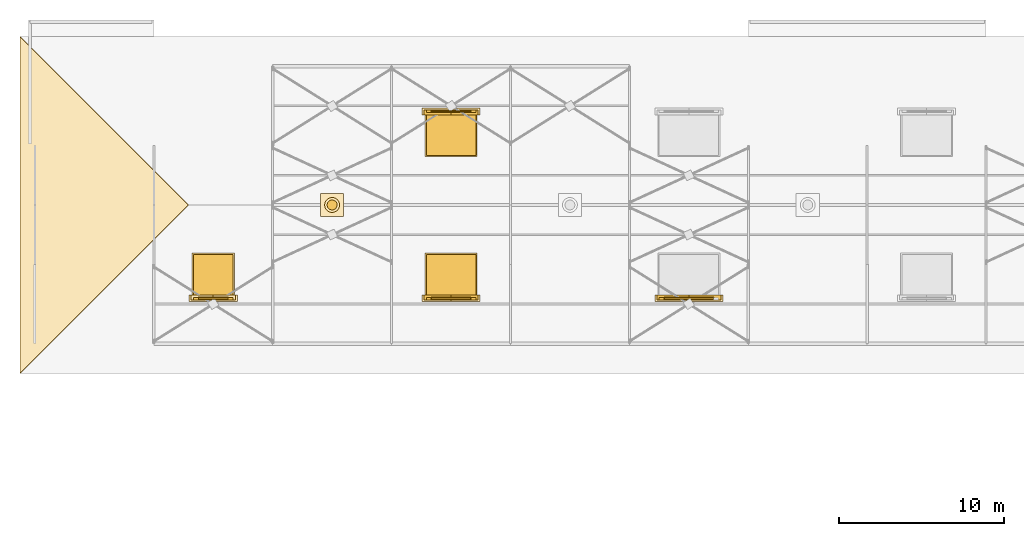
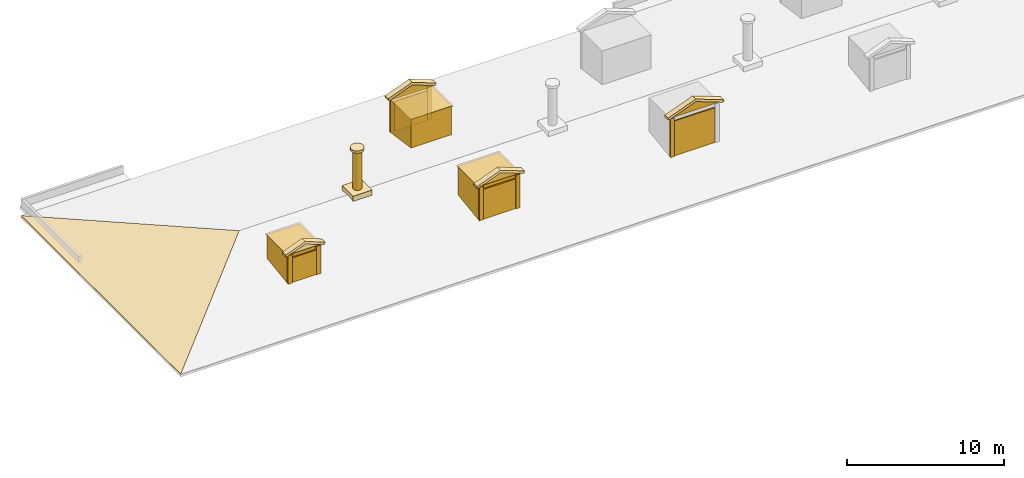
# One storey, part 18 of 24: 25 coverings, 4 shading devices.
"""IFC4 building model written with IfcOpenShell, lengths in metres."""

from ifc_helpers import new_model, si_unit, direction, frame, origin, origin_2d, place, context, subcontext, project, spatial, polyline, rectangle, circle, outline, extrude, material, layer, layer_set, material_profile, profile_set, type_object, element, save


model = new_model("IFC4")

# Units and contexts
model_context = context("Model", 3, precision=1e-05, world=origin(), true_north=direction((0.0, 1.0)))
body_context = subcontext(model_context, "Body", "Model", "MODEL_VIEW")
ifc_project = project(units=[si_unit("LENGTHUNIT", "METRE"), si_unit("AREAUNIT", "SQUARE_METRE"), si_unit("VOLUMEUNIT", "CUBIC_METRE"), si_unit("PLANEANGLEUNIT", "RADIAN"), si_unit("MASSUNIT", "GRAM", prefix="KILO")], contexts=[model_context])

# Site, building, storey
site_placement = place(None, origin())
site = spatial("IfcSite", under=ifc_project, at=site_placement, CompositionType="ELEMENT")
building_placement = place(site_placement, origin())
building = spatial("IfcBuilding", under=site, at=building_placement, Name="Ussher Court Research Institute", CompositionType="ELEMENT")
storey_placement = place(building_placement, frame((0.0, 0.0, 32.39990234375)))
storey = spatial("IfcBuildingStorey", under=building, at=storey_placement, Name="L07", CompositionType="ELEMENT", Elevation=32.39990234375)

# Coverings
ifc_material_1 = material(Name="Lead sheet cladding")
covering_type_1 = type_object("IfcCoveringType", Name="Dormer body 2400x2600x2200", PredefinedType="CLADDING", material=ifc_material_1)
covering_1_placement = place(storey_placement, frame((12.60009765625, 74.0, 0.68701171875), z_axis=(1.0, 0.0, 0.0), x_axis=(0.0, 1.0, 0.0)))
element("IfcCovering", 1, at=covering_1_placement, inside=storey, type_object=covering_type_1, Name="Dormer body DM24 S1", PredefinedType="CLADDING", context=body_context, shape_type="SweptSolid", body=[
    extrude(outline(polyline([(0.0, 0.0), (2.60009765625, 0.365478515625), (2.60009765625, 2.199951171875), (0.0, 2.199951171875), (0.0, 0.0)])), origin(), (0.0, 0.0, 1.0), 2.39990234375),
])
ifc_material_2 = material(Name="Lead sheet cladding")
covering_type_2 = type_object("IfcCoveringType", Name="Dormer body 3000x2600x2600", PredefinedType="CLADDING", material=ifc_material_2)
covering_2_placement = place(storey_placement, frame((26.699951171875, 74.0, 0.68701171875), z_axis=(1.0, 0.0, 0.0), x_axis=(0.0, 1.0, 0.0)))
element("IfcCovering", 2, at=covering_2_placement, inside=storey, type_object=covering_type_2, Name="Dormer body DM30 S2", PredefinedType="CLADDING", context=body_context, shape_type="SweptSolid", body=[
    extrude(outline(polyline([(0.0, 0.0), (2.60009765625, 0.365478515625), (2.60009765625, 2.60009765625), (0.0, 2.60009765625), (0.0, 0.0)])), origin(), (0.0, 0.0, 1.0), 3.0),
])
covering_3_placement = place(storey_placement, frame((26.699951171875, 85.199951171875, 0.68701171875), z_axis=(1.0, 0.0, 0.0), x_axis=(0.0, 1.0, 0.0)))
element("IfcCovering", 3, at=covering_3_placement, inside=storey, type_object=covering_type_2, Name="Dormer body DM30 N1", PredefinedType="CLADDING", context=body_context, shape_type="SweptSolid", body=[
    extrude(outline(polyline([(0.0, 0.0), (0.0, 2.60009765625), (-2.60009765625, 2.60009765625), (-2.60009765625, 0.365478515625), (0.0, 0.0)])), origin(), (0.0, 0.0, 1.0), 3.0),
])
ifc_material_3 = material(Name="Lead sheet cladding")
ifc_layer_1 = layer(ifc_material_3, 0.06005859375)
ifc_layer_set_1 = layer_set([ifc_layer_1], Name="Lead sheet cladding")
covering_type_3 = type_object("IfcCoveringType", Name="Dormer cap 2560x2760", PredefinedType="CLADDING", material=ifc_layer_set_1)
covering_4_placement = place(storey_placement, frame((13.800048828125, 75.300048828125, 2.886962890625), z_axis=(0.0, 0.0, 1.0), x_axis=(1.0, 0.0, 0.0)))
element("IfcCovering", 4, at=covering_4_placement, inside=storey, type_object=covering_type_3, Name="Dormer cap DC24 S1", PredefinedType="CLADDING", context=body_context, shape_type="SweptSolid", body=[
    extrude(rectangle(XDim=2.56005859375, YDim=2.760009765625, at=origin_2d()), origin(), (0.0, 0.0, 1.0), 0.06005859375),
])
ifc_material_4 = material(Name="Lead sheet cladding")
ifc_layer_2 = layer(ifc_material_4, 0.06005859375)
ifc_layer_set_2 = layer_set([ifc_layer_2], Name="Lead sheet cladding")
covering_type_4 = type_object("IfcCoveringType", Name="Dormer cap 3160x2760", PredefinedType="CLADDING", material=ifc_layer_set_2)
for number, where, z_axis, x_axis, name in (
    (5, (28.199951171875, 75.300048828125, 3.286865234375), (0.0, 0.0, 1.0), (1.0, 0.0, 0.0), "Dormer cap DC30 S2"),
    (6, (28.199951171875, 83.89990234375, 3.286865234375), (0.0, 0.0, 1.0), (1.0, 0.0, 0.0), "Dormer cap DC30 N1"),
):
    element("IfcCovering", number, at=place(storey_placement, frame(where, z_axis=z_axis, x_axis=x_axis)), inside=storey, type_object=covering_type_4, Name=name, PredefinedType="CLADDING", context=body_context, shape_type="SweptSolid", body=[
        extrude(rectangle(XDim=3.159912109375, YDim=2.760009765625, at=origin_2d()), origin(), (0.0, 0.0, 1.0), 0.06005859375),
    ])
ifc_material_5 = material(Name="Limestone cornice", Category="masonry")
covering_type_5 = type_object("IfcCoveringType", Name="Dormer pilaster 300x140", PredefinedType="CLADDING", material=ifc_material_5)
for number, where, z_axis, x_axis, name in (
    (7, (12.75, 73.929931640625, 0.667236328125), (0.0, 0.0, 1.0), (1.0, 0.0, 0.0), "Dormer pilaster DP1 S1"),
    (8, (14.85009765625, 73.929931640625, 0.667236328125), (0.0, 0.0, 1.0), (1.0, 0.0, 0.0), "Dormer pilaster DP1 S1"),
):
    element("IfcCovering", number, at=place(storey_placement, frame(where, z_axis=z_axis, x_axis=x_axis)), inside=storey, type_object=covering_type_5, Name=name, PredefinedType="CLADDING", context=body_context, shape_type="SweptSolid", body=[
        extrude(rectangle(XDim=0.300048828125, YDim=0.139892578125, at=origin_2d()), origin(), (0.0, 0.0, 1.0), 2.2197265625),
    ])
for number, where, z_axis, x_axis, name in (
    (9, (26.85009765625, 73.929931640625, 0.667236328125), (0.0, 0.0, 1.0), (1.0, 0.0, 0.0), "Dormer pilaster DP1 S2"),
    (10, (29.550048828125, 73.929931640625, 0.667236328125), (0.0, 0.0, 1.0), (1.0, 0.0, 0.0), "Dormer pilaster DP1 S2"),
):
    element("IfcCovering", number, at=place(storey_placement, frame(where, z_axis=z_axis, x_axis=x_axis)), inside=storey, type_object=covering_type_5, Name=name, PredefinedType="CLADDING", context=body_context, shape_type="SweptSolid", body=[
        extrude(rectangle(XDim=0.300048828125, YDim=0.139892578125, at=origin_2d()), origin(), (0.0, 0.0, 1.0), 2.61962890625),
    ])
covering_5_placement = place(storey_placement, frame((40.949951171875, 73.929931640625, 0.6669921875), z_axis=(0.0, 0.0, 1.0), x_axis=(1.0, 0.0, 0.0)))
element("IfcCovering", 11, at=covering_5_placement, inside=storey, type_object=covering_type_5, Name="Dormer pilaster DP1 S3", PredefinedType="CLADDING", context=body_context, shape_type="SweptSolid", body=[
    extrude(rectangle(XDim=0.300048828125, YDim=0.139892578125, at=origin_2d()), origin(), (0.0, 0.0, 1.0), 3.019775390625),
])
for number, where, z_axis, x_axis, name in (
    (12, (26.85009765625, 85.27001953125, 0.667236328125), (0.0, 0.0, 1.0), (1.0, 0.0, 0.0), "Dormer pilaster DP1 N1"),
    (13, (29.550048828125, 85.27001953125, 0.667236328125), (0.0, 0.0, 1.0), (1.0, 0.0, 0.0), "Dormer pilaster DP1 N1"),
):
    element("IfcCovering", number, at=place(storey_placement, frame(where, z_axis=z_axis, x_axis=x_axis)), inside=storey, type_object=covering_type_5, Name=name, PredefinedType="CLADDING", context=body_context, shape_type="SweptSolid", body=[
        extrude(rectangle(XDim=0.300048828125, YDim=0.139892578125, at=origin_2d()), origin(), (0.0, 0.0, 1.0), 2.61962890625),
    ])
ifc_material_6 = material(Name="Limestone cornice", Category="masonry")
covering_type_6 = type_object("IfcCoveringType", Name="Dormer raking cornice 2920", PredefinedType="CLADDING", material=ifc_material_6)
covering_6_placement = place(storey_placement, frame((13.800048828125, 73.739990234375, 2.947021484375), z_axis=(0.0, 1.0, 0.0), x_axis=(-1.0, 0.0, 0.0)))
element("IfcCovering", 14, at=covering_6_placement, inside=storey, type_object=covering_type_6, Name="Dormer rake DR24 S1", PredefinedType="CLADDING", context=body_context, shape_type="SweptSolid", body=[
    extrude(outline(polyline([(1.4599609375, 0.0), (1.4599609375, 0.154296875), (0.0, 0.709228515625), (-1.4599609375, 0.154296875), (-1.4599609375, 0.0), (-1.340087890625, 0.0), (0.0, 0.50927734375), (1.340087890625, 0.0), (1.4599609375, 0.0)])), origin(), (0.0, 0.0, 1.0), 0.419921875),
])
ifc_material_7 = material(Name="Limestone cornice", Category="masonry")
covering_type_7 = type_object("IfcCoveringType", Name="Dormer raking cornice 3520", PredefinedType="CLADDING", material=ifc_material_7)
for number, where, z_axis, x_axis, name in (
    (15, (28.199951171875, 73.739990234375, 3.346923828125), (0.0, 1.0, 0.0), (-1.0, 0.0, 0.0), "Dormer rake DR30 S2"),
    (16, (28.199951171875, 85.0400390625, 3.346923828125), (0.0, 1.0, 0.0), (-1.0, 0.0, 0.0), "Dormer rake DR30 N1"),
):
    element("IfcCovering", number, at=place(storey_placement, frame(where, z_axis=z_axis, x_axis=x_axis)), inside=storey, type_object=covering_type_7, Name=name, PredefinedType="CLADDING", context=body_context, shape_type="SweptSolid", body=[
        extrude(outline(polyline([(1.760009765625, 0.0), (1.760009765625, 0.154296875), (0.0, 0.8232421875), (-1.760009765625, 0.154296875), (-1.760009765625, 0.0), (-1.639892578125, 0.0), (0.0, 0.623291015625), (1.639892578125, 0.0), (1.760009765625, 0.0)])), origin(), (0.0, 0.0, 1.0), 0.419921875),
    ])
ifc_material_8 = material(Name="Limestone cornice", Category="masonry")
covering_type_8 = type_object("IfcCoveringType", Name="Dormer raking cornice 4120", PredefinedType="CLADDING", material=ifc_material_8)
covering_7_placement = place(storey_placement, frame((42.60009765625, 73.739990234375, 3.7470703125), z_axis=(0.0, 1.0, 0.0), x_axis=(-1.0, 0.0, 0.0)))
element("IfcCovering", 17, at=covering_7_placement, inside=storey, type_object=covering_type_8, Name="Dormer rake DR36 S3", PredefinedType="CLADDING", context=body_context, shape_type="SweptSolid", body=[
    extrude(outline(polyline([(2.06005859375, 0.0), (2.06005859375, 0.154296875), (0.0, 0.937255859375), (-2.06005859375, 0.154296875), (-2.06005859375, 0.0), (-1.93994140625, 0.0), (0.0, 0.7373046875), (1.93994140625, 0.0), (2.06005859375, 0.0)])), origin(), (0.0, 0.0, 1.0), 0.419921875),
])
ifc_material_9 = material(Name="Limestone cornice", Category="masonry")
covering_type_9 = type_object("IfcCoveringType", Name="Dormer tympanum 2680x509", PredefinedType="CLADDING", material=ifc_material_9)
covering_8_placement = place(storey_placement, frame((13.800048828125, 73.860107421875, 2.947021484375), z_axis=(0.0, 1.0, 0.0), x_axis=(-1.0, 0.0, 0.0)))
element("IfcCovering", 18, at=covering_8_placement, inside=storey, type_object=covering_type_9, Name="Dormer tymp DT24 S1", PredefinedType="CLADDING", context=body_context, shape_type="SweptSolid", body=[
    extrude(outline(polyline([(1.340087890625, 0.0), (0.0, 0.50927734375), (-1.340087890625, 0.0), (1.340087890625, 0.0)])), origin(), (0.0, 0.0, 1.0), 0.2998046875),
])
ifc_material_10 = material(Name="Limestone cornice", Category="masonry")
covering_type_10 = type_object("IfcCoveringType", Name="Dormer tympanum 3280x623", PredefinedType="CLADDING", material=ifc_material_10)
covering_9_placement = place(storey_placement, frame((28.199951171875, 73.860107421875, 3.346923828125), z_axis=(0.0, 1.0, 0.0), x_axis=(-1.0, 0.0, 0.0)))
element("IfcCovering", 19, at=covering_9_placement, inside=storey, type_object=covering_type_10, Name="Dormer tymp DT30 S2", PredefinedType="CLADDING", context=body_context, shape_type="SweptSolid", body=[
    extrude(outline(polyline([(1.639892578125, 0.0), (0.0, 0.623291015625), (-1.639892578125, 0.0), (1.639892578125, 0.0)])), origin(), (0.0, 0.0, 1.0), 0.2998046875),
])
covering_10_placement = place(storey_placement, frame((28.199951171875, 85.0400390625, 3.346923828125), z_axis=(0.0, 1.0, 0.0), x_axis=(-1.0, 0.0, 0.0)))
element("IfcCovering", 20, at=covering_10_placement, inside=storey, type_object=covering_type_10, Name="Dormer tymp DT30 N1", PredefinedType="CLADDING", context=body_context, shape_type="SweptSolid", body=[
    extrude(outline(polyline([(1.639892578125, 0.0), (0.0, 0.623291015625), (-1.639892578125, 0.0), (1.639892578125, 0.0)])), origin(), (0.0, 0.0, 1.0), 0.300048828125),
])
ifc_material_11 = material(Name="Limestone cornice", Category="masonry")
covering_type_11 = type_object("IfcCoveringType", Name="Dormer tympanum 3880x737", PredefinedType="CLADDING", material=ifc_material_11)
covering_11_placement = place(storey_placement, frame((42.60009765625, 73.860107421875, 3.7470703125), z_axis=(0.0, 1.0, 0.0), x_axis=(-1.0, 0.0, 0.0)))
element("IfcCovering", 21, at=covering_11_placement, inside=storey, type_object=covering_type_11, Name="Dormer tymp DT36 S3", PredefinedType="CLADDING", context=body_context, shape_type="SweptSolid", body=[
    extrude(outline(polyline([(1.93994140625, 0.0), (0.0, 0.7373046875), (-1.93994140625, 0.0), (1.93994140625, 0.0)])), origin(), (0.0, 0.0, 1.0), 0.2998046875),
])

# Shading devices
ifc_material_12 = material(Name="Aluminium louvre", Category="aluminium")
ifc_layer_3 = layer(ifc_material_12, 0.10009765625)
ifc_layer_set_3 = layer_set([ifc_layer_3], Name="Aluminium louvre")
shading_device_type_1 = type_object("IfcShadingDeviceType", Name="Dormer vent louvre 1800x1900", PredefinedType="USERDEFINED", material=ifc_layer_set_3)
shading_device_1_placement = place(storey_placement, frame((13.800048828125, 73.949951171875, 0.6728515625), z_axis=(0.0, 0.0, 1.0), x_axis=(1.0, 0.0, 0.0)))
element("IfcShadingDevice", 22, at=shading_device_1_placement, inside=storey, type_object=shading_device_type_1, Name="Dormer vent louvre DL24 S1", ObjectType="LOUVRE", PredefinedType="USERDEFINED", context=body_context, shape_type="SweptSolid", body=[
    extrude(rectangle(XDim=1.800048828125, YDim=0.10009765625, at=origin_2d()), origin(), (0.0, 0.0, 1.0), 1.9140625),
])
ifc_material_13 = material(Name="Aluminium louvre", Category="aluminium")
ifc_layer_4 = layer(ifc_material_13, 0.10009765625)
ifc_layer_set_4 = layer_set([ifc_layer_4], Name="Aluminium louvre")
shading_device_type_2 = type_object("IfcShadingDeviceType", Name="Dormer vent louvre 2400x2300", PredefinedType="USERDEFINED", material=ifc_layer_set_4)
for number, where, z_axis, x_axis, name in (
    (23, (28.199951171875, 73.949951171875, 0.6728515625), (0.0, 0.0, 1.0), (1.0, 0.0, 0.0), "Dormer vent louvre DL30 S2"),
    (24, (28.199951171875, 85.25, 0.6728515625), (0.0, 0.0, 1.0), (1.0, 0.0, 0.0), "Dormer vent louvre DL30 N1"),
):
    element("IfcShadingDevice", number, at=place(storey_placement, frame(where, z_axis=z_axis, x_axis=x_axis)), inside=storey, type_object=shading_device_type_2, Name=name, ObjectType="LOUVRE", PredefinedType="USERDEFINED", context=body_context, shape_type="SweptSolid", body=[
        extrude(rectangle(XDim=2.39990234375, YDim=0.10009765625, at=origin_2d()), origin(), (0.0, 0.0, 1.0), 2.314208984375),
    ])
ifc_material_14 = material(Name="Aluminium louvre", Category="aluminium")
ifc_layer_5 = layer(ifc_material_14, 0.10009765625)
ifc_layer_set_5 = layer_set([ifc_layer_5], Name="Aluminium louvre")
shading_device_type_3 = type_object("IfcShadingDeviceType", Name="Dormer vent louvre 3000x2700", PredefinedType="USERDEFINED", material=ifc_layer_set_5)
shading_device_2_placement = place(storey_placement, frame((42.60009765625, 73.949951171875, 0.6728515625), z_axis=(0.0, 0.0, 1.0), x_axis=(1.0, 0.0, 0.0)))
element("IfcShadingDevice", 25, at=shading_device_2_placement, inside=storey, type_object=shading_device_type_3, Name="Dormer vent louvre DL36 S3", ObjectType="LOUVRE", PredefinedType="USERDEFINED", context=body_context, shape_type="SweptSolid", body=[
    extrude(rectangle(XDim=3.0, YDim=0.10009765625, at=origin_2d()), origin(), (0.0, 0.0, 1.0), 2.714111328125),
])

# Coverings
ifc_material_15 = material(Name="Galvanised steel flue", Category="steel")
ifc_material_profile_1 = material_profile(ifc_material_15, circle(Radius=0.300048828125, at=origin_2d()), Name="Extract flue 600 dia")
ifc_profile_set_1 = profile_set([ifc_material_profile_1], Name="Galvanised steel flue")
covering_type_12 = type_object("IfcCoveringType", Name="Extract flue 600 dia", PredefinedType="CLADDING", material=ifc_profile_set_1)
covering_12_placement = place(storey_placement, frame((21.0, 79.60009765625, 1.77392578125), z_axis=(0.0, 0.0, 1.0), x_axis=(1.0, 0.0, 0.0)))
element("IfcCovering", 26, at=covering_12_placement, inside=storey, type_object=covering_type_12, Name="Extract flue SK2 1", PredefinedType="CLADDING", context=body_context, shape_type="SweptSolid", body=[
    extrude(circle(Radius=0.300048828125, at=origin_2d()), origin(), (0.0, 0.0, 1.0), 3.0),
])
ifc_material_16 = material(Name="Galvanised steel flue", Category="steel")
ifc_material_profile_2 = material_profile(ifc_material_16, circle(Radius=0.449951171875, at=origin_2d()), Name="Flue cowl 900 dia")
ifc_profile_set_2 = profile_set([ifc_material_profile_2], Name="Galvanised steel flue")
covering_type_13 = type_object("IfcCoveringType", Name="Flue cowl 900 dia", PredefinedType="CLADDING", material=ifc_profile_set_2)
covering_13_placement = place(storey_placement, frame((21.0, 79.60009765625, 4.77392578125), z_axis=(0.0, 0.0, 1.0), x_axis=(1.0, 0.0, 0.0)))
element("IfcCovering", 27, at=covering_13_placement, inside=storey, type_object=covering_type_13, Name="Flue cowl SK3 1", PredefinedType="CLADDING", context=body_context, shape_type="SweptSolid", body=[
    extrude(circle(Radius=0.449951171875, at=origin_2d()), origin(), (0.0, 0.0, 1.0), 0.18017578125),
])
ifc_material_17 = material(Name="Lead sheet cladding")
covering_type_14 = type_object("IfcCoveringType", Name="Flue saddle 1400x300", PredefinedType="CLADDING", material=ifc_material_17)
covering_14_placement = place(storey_placement, frame((20.300048828125, 79.60009765625, 1.473876953125), z_axis=(1.0, 0.0, 0.0), x_axis=(0.0, 1.0, 0.0)))
element("IfcCovering", 28, at=covering_14_placement, inside=storey, type_object=covering_type_14, Name="Flue saddle SK1 1", PredefinedType="CLADDING", context=body_context, shape_type="SweptSolid", body=[
    extrude(outline(polyline([(-0.699951171875, -0.098388671875), (0.0, 0.0), (0.699951171875, -0.098388671875), (0.699951171875, 0.300048828125), (-0.699951171875, 0.300048828125), (-0.699951171875, -0.098388671875)])), origin(), (0.0, 0.0, 1.0), 1.39990234375),
])
ifc_material_18 = material(Name="Zinc standing seam")
ifc_layer_6 = layer(ifc_material_18, 0.0400390625)
ifc_layer_set_6 = layer_set([ifc_layer_6], Name="Zinc standing seam")
covering_type_15 = type_object("IfcCoveringType", Name="Standing seam zinc covering 40", PredefinedType="ROOFING", material=ifc_layer_set_6)
covering_15_placement = place(storey_placement, frame((2.10009765625, 89.800048828125, 0.04052734375), z_axis=(-0.139157864072, 0.0, 0.990270210027), x_axis=(0.0, -1.0, 0.0)))
element("IfcCovering", 29, at=covering_15_placement, inside=storey, type_object=covering_type_15, Name="Roof covering RC1 V5", PredefinedType="ROOFING", context=body_context, shape_type="SweptSolid", body=[
    extrude(outline(polyline([(0.0, 0.0), (20.400146484375, 0.0), (10.199951171875, 10.300169659346862), (0.0, 0.0)])), origin(), (0.0, 0.0, -1.0), 0.0400390625),
])

save(model, "model.ifc")
